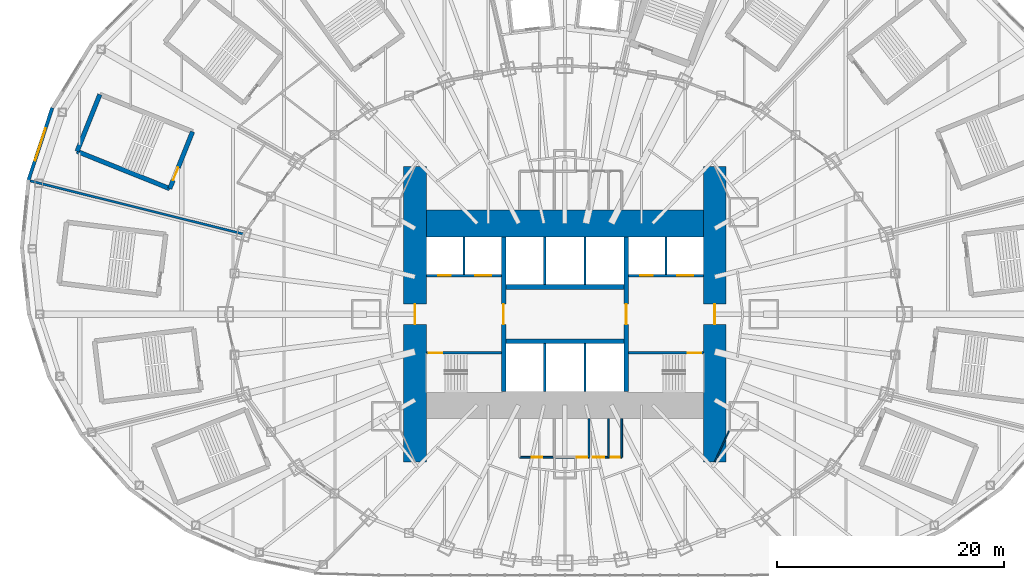
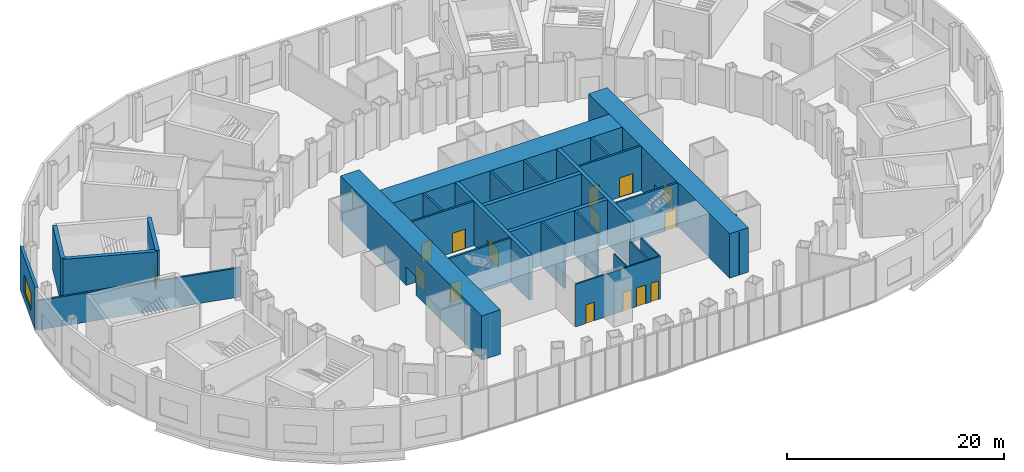
# One storey, part 14 of 73: 27 walls, 15 doors, 1 window, 16 openings.
"""IFC4 building model written with IfcOpenShell, lengths in metres."""

from ifc_helpers import new_model, si_unit, direction, frame, frame_2d, origin, place, context, subcontext, project, spatial, rectangle, extrude, material, layer, layer_set, type_object, element, fill, save


model = new_model("IFC4")

# Units and contexts
model_context = context("Model", 3, precision=1e-05, world=origin(), true_north=direction((0.0, 1.0)))
body_context = subcontext(model_context, "Body", "Model", "MODEL_VIEW")
ifc_project = project(units=[si_unit("LENGTHUNIT", "METRE"), si_unit("AREAUNIT", "SQUARE_METRE"), si_unit("VOLUMEUNIT", "CUBIC_METRE"), si_unit("PLANEANGLEUNIT", "RADIAN"), si_unit("MASSUNIT", "GRAM", prefix="KILO")], contexts=[model_context])

# Site, building, storey
site_placement = place(None, origin())
site = spatial("IfcSite", under=ifc_project, at=site_placement, CompositionType="ELEMENT")
building_placement = place(site_placement, origin())
building = spatial("IfcBuilding", under=site, at=building_placement, Name="Lantaw Convention Tower", CompositionType="ELEMENT")
storey_placement = place(building_placement, frame((0.0, 0.0, 22.0)))
storey = spatial("IfcBuildingStorey", under=building, at=storey_placement, Name="L03", CompositionType="ELEMENT", Elevation=22.0)

# Wall, opening, door
ifc_material_1 = material(Name="Concrete C60/75", Category="concrete")
ifc_layer_1 = layer(ifc_material_1, 0.199951171875)
ifc_layer_set_1 = layer_set([ifc_layer_1], Name="Core wall 200")
wall_type_1 = type_object("IfcWallType", Name="Core wall 200", PredefinedType="SHEAR", material=ifc_layer_set_1)
wall_1_placement = place(storey_placement, frame((5.60009765625, -3.39990234375, 0.0), z_axis=(0.0, 0.0, 1.0), x_axis=(1.0, 0.0, 0.0)))
wall_1 = element("IfcWall", 1, at=wall_1_placement, inside=storey, type_object=wall_type_1, Name="Core wall ES", PredefinedType="SHEAR", context=body_context, shape_type="SweptSolid", body=[
    extrude(rectangle(XDim=6.599853515625, YDim=0.199951171875, at=frame_2d((3.2998046875, 0.0))), origin(), (0.0, 0.0, 1.0), 5.0),
])
opening_1_placement = place(wall_1_placement, frame((5.199951171875, 0.0, 0.0)))
opening_1 = element("IfcOpeningElement", 2, at=opening_1_placement, cuts=wall_1, Name="Opening L03.03", PredefinedType="OPENING", context=body_context, shape_type="SweptSolid", body=[
    extrude(rectangle(XDim=1.199951171875, YDim=2.10009765625, at=frame_2d((0.60009765625, 1.050048828125))), frame((0.0, 0.10986328125, 0.0), z_axis=(0.0, -1.0, 0.0), x_axis=(1.0, 0.0, 0.0)), (0.0, 0.0, 1.0), 0.219970703125),
])
ifc_material_2 = material(Name="Steel, fire rated", Category="steel")
door_type_1 = type_object("IfcDoorType", Name="Stair door FD90", OperationType="SINGLE_SWING_RIGHT", PredefinedType="DOOR", material=ifc_material_2)
door_1_placement = place(opening_1_placement, origin())
door_1 = element("IfcDoor", 3, at=door_1_placement, inside=storey, type_object=door_type_1, Name="Exit stair door", OperationType="SINGLE_SWING_RIGHT", OverallHeight=2.10009765625, OverallWidth=1.199951171875, PredefinedType="DOOR", context=body_context, shape_type="SweptSolid", body=[
    extrude(rectangle(XDim=1.199951171875, YDim=2.10009765625, at=frame_2d((0.60009765625, 1.050048828125))), frame((0.0, 0.02490234375, 0.0), z_axis=(0.0, -1.0, 0.0), x_axis=(1.0, 0.0, 0.0)), (0.0, 0.0, 1.0), 0.050048828125),
])
fill(opening_1, door_1)

wall_2_placement = place(storey_placement, frame((-5.60009765625, -3.39990234375, 0.0), z_axis=(0.0, 0.0, 1.0), x_axis=(-1.0, 0.0, 0.0)))
wall_2 = element("IfcWall", 4, at=wall_2_placement, inside=storey, type_object=wall_type_1, Name="Core wall WS", PredefinedType="SHEAR", context=body_context, shape_type="SweptSolid", body=[
    extrude(rectangle(XDim=6.599853515625, YDim=0.199951171875, at=frame_2d((3.2998046875, 0.0))), origin(), (0.0, 0.0, 1.0), 5.0),
])
opening_2_placement = place(wall_2_placement, frame((5.199951171875, 0.0, 0.0)))
opening_2 = element("IfcOpeningElement", 5, at=opening_2_placement, cuts=wall_2, Name="Opening L03.04", PredefinedType="OPENING", context=body_context, shape_type="SweptSolid", body=[
    extrude(rectangle(XDim=1.199951171875, YDim=2.10009765625, at=frame_2d((0.60009765625, 1.050048828125))), frame((0.0, 0.10986328125, 0.0), z_axis=(0.0, -1.0, 0.0), x_axis=(1.0, 0.0, 0.0)), (0.0, 0.0, 1.0), 0.219970703125),
])
door_2_placement = place(opening_2_placement, origin())
door_2 = element("IfcDoor", 6, at=door_2_placement, inside=storey, type_object=door_type_1, Name="Exit stair door", OperationType="SINGLE_SWING_RIGHT", OverallHeight=2.10009765625, OverallWidth=1.199951171875, PredefinedType="DOOR", context=body_context, shape_type="SweptSolid", body=[
    extrude(rectangle(XDim=1.199951171875, YDim=2.10009765625, at=frame_2d((0.60009765625, 1.050048828125))), frame((0.0, 0.02490234375, 0.0), z_axis=(0.0, -1.0, 0.0), x_axis=(1.0, 0.0, 0.0)), (0.0, 0.0, 1.0), 0.050048828125),
])
fill(opening_2, door_2)

ifc_layer_2 = layer(ifc_material_1, 2.0)
ifc_layer_set_2 = layer_set([ifc_layer_2], Name="Core wall 2000")
wall_type_2 = type_object("IfcWallType", Name="Core wall 2000", PredefinedType="SHEAR", material=ifc_layer_set_2)
wall_3_placement = place(storey_placement, frame((13.199951171875, -13.0, 0.0), z_axis=(0.0, 0.0, 1.0), x_axis=(0.0, 1.0, 0.0)))
wall_3 = element("IfcWall", 7, at=wall_3_placement, inside=storey, type_object=wall_type_2, Name="Core wall E", PredefinedType="SHEAR", context=body_context, shape_type="SweptSolid", body=[
    extrude(rectangle(XDim=26.0, YDim=2.0, at=frame_2d((13.0, 0.0))), origin(), (0.0, 0.0, 1.0), 5.0),
])
opening_3_placement = place(wall_3_placement, frame((12.10009765625, 0.0, 0.0)))
opening_3 = element("IfcOpeningElement", 8, at=opening_3_placement, cuts=wall_3, Name="Opening L03.05", PredefinedType="OPENING", context=body_context, shape_type="SweptSolid", body=[
    extrude(rectangle(XDim=1.800048828125, YDim=2.10009765625, at=frame_2d((0.89990234375, 1.050048828125))), frame((0.0, 1.010009765625, 0.0), z_axis=(0.0, -1.0, 0.0), x_axis=(1.0, 0.0, 0.0)), (0.0, 0.0, 1.0), 2.02001953125),
])
door_type_2 = type_object("IfcDoorType", Name="Lobby double door FD90", OperationType="DOUBLE_DOOR_DOUBLE_SWING", PredefinedType="DOOR", material=ifc_material_2)
door_3_placement = place(opening_3_placement, origin())
door_3 = element("IfcDoor", 9, at=door_3_placement, inside=storey, type_object=door_type_2, Name="Firefighting lobby door", OperationType="DOUBLE_DOOR_DOUBLE_SWING", OverallHeight=2.10009765625, OverallWidth=1.800048828125, PredefinedType="DOOR", context=body_context, shape_type="SweptSolid", body=[
    extrude(rectangle(XDim=1.800048828125, YDim=2.10009765625, at=frame_2d((0.89990234375, 1.050048828125))), frame((0.0, 0.02490234375, 0.0), z_axis=(0.0, -1.0, 0.0), x_axis=(1.0, 0.0, 0.0)), (0.0, 0.0, 1.0), 0.050048828125),
])
fill(opening_3, door_3)

wall_4_placement = place(storey_placement, frame((-13.199951171875, 13.0, 0.0), z_axis=(0.0, 0.0, 1.0), x_axis=(0.0, -1.0, 0.0)))
wall_4 = element("IfcWall", 10, at=wall_4_placement, inside=storey, type_object=wall_type_2, Name="Core wall W", PredefinedType="SHEAR", context=body_context, shape_type="SweptSolid", body=[
    extrude(rectangle(XDim=26.0, YDim=2.0, at=frame_2d((13.0, 0.0))), origin(), (0.0, 0.0, 1.0), 5.0),
])
opening_4_placement = place(wall_4_placement, frame((12.10009765625, 0.0, 0.0)))
opening_4 = element("IfcOpeningElement", 11, at=opening_4_placement, cuts=wall_4, Name="Opening L03.06", PredefinedType="OPENING", context=body_context, shape_type="SweptSolid", body=[
    extrude(rectangle(XDim=1.800048828125, YDim=2.10009765625, at=frame_2d((0.89990234375, 1.050048828125))), frame((0.0, 1.010009765625, 0.0), z_axis=(0.0, -1.0, 0.0), x_axis=(1.0, 0.0, 0.0)), (0.0, 0.0, 1.0), 2.02001953125),
])
door_4_placement = place(opening_4_placement, origin())
door_4 = element("IfcDoor", 12, at=door_4_placement, inside=storey, type_object=door_type_2, Name="Firefighting lobby door", OperationType="DOUBLE_DOOR_DOUBLE_SWING", OverallHeight=2.10009765625, OverallWidth=1.800048828125, PredefinedType="DOOR", context=body_context, shape_type="SweptSolid", body=[
    extrude(rectangle(XDim=1.800048828125, YDim=2.10009765625, at=frame_2d((0.89990234375, 1.050048828125))), frame((0.0, 0.02490234375, 0.0), z_axis=(0.0, -1.0, 0.0), x_axis=(1.0, 0.0, 0.0)), (0.0, 0.0, 1.0), 0.050048828125),
])
fill(opening_4, door_4)

# Wall
ifc_layer_3 = layer(ifc_material_1, 2.39990234375)
ifc_layer_set_3 = layer_set([ifc_layer_3], Name="Core wall 2400")
wall_type_3 = type_object("IfcWallType", Name="Core wall 2400", PredefinedType="SHEAR", material=ifc_layer_set_3)
wall_5_placement = place(storey_placement, frame((12.199951171875, 8.0, 0.0), z_axis=(0.0, 0.0, 1.0), x_axis=(-1.0, 0.0, 0.0)))
element("IfcWall", 13, at=wall_5_placement, inside=storey, type_object=wall_type_3, Name="Core wall N", PredefinedType="SHEAR", context=body_context, shape_type="SweptSolid", body=[
    extrude(rectangle(XDim=24.39990234375, YDim=2.39990234375, at=frame_2d((12.199951171875, 0.0))), origin(), (0.0, 0.0, 1.0), 5.0),
])

# Wall, opening, door
ifc_layer_4 = layer(ifc_material_1, 0.39990234375)
ifc_layer_set_4 = layer_set([ifc_layer_4], Name="Core wall 400")
wall_type_4 = type_object("IfcWallType", Name="Core wall 400", PredefinedType="SHEAR", material=ifc_layer_set_4)
wall_6_placement = place(storey_placement, frame((5.39990234375, -6.800048828125, 0.0), z_axis=(0.0, 0.0, 1.0), x_axis=(0.0, 1.0, 0.0)))
wall_6 = element("IfcWall", 14, at=wall_6_placement, inside=storey, type_object=wall_type_4, Name="Core wall XE", PredefinedType="SHEAR", context=body_context, shape_type="SweptSolid", body=[
    extrude(rectangle(XDim=13.60009765625, YDim=0.39990234375, at=frame_2d((6.800048828125, 0.0))), origin(), (0.0, 0.0, 1.0), 5.0),
])
opening_5_placement = place(wall_6_placement, frame((5.89990234375, 0.0, 0.0)))
opening_5 = element("IfcOpeningElement", 15, at=opening_5_placement, cuts=wall_6, Name="Opening L03.01", PredefinedType="OPENING", context=body_context, shape_type="SweptSolid", body=[
    extrude(rectangle(XDim=1.800048828125, YDim=2.10009765625, at=frame_2d((0.89990234375, 1.050048828125))), frame((0.0, 0.2099609375, 0.0), z_axis=(0.0, -1.0, 0.0), x_axis=(1.0, 0.0, 0.0)), (0.0, 0.0, 1.0), 0.419921875),
])
door_5_placement = place(opening_5_placement, origin())
door_5 = element("IfcDoor", 16, at=door_5_placement, inside=storey, type_object=door_type_2, Name="Lift lobby door", OperationType="DOUBLE_DOOR_DOUBLE_SWING", OverallHeight=2.10009765625, OverallWidth=1.800048828125, PredefinedType="DOOR", context=body_context, shape_type="SweptSolid", body=[
    extrude(rectangle(XDim=1.800048828125, YDim=2.10009765625, at=frame_2d((0.89990234375, 1.050048828125))), frame((0.0, 0.02490234375, 0.0), z_axis=(0.0, -1.0, 0.0), x_axis=(1.0, 0.0, 0.0)), (0.0, 0.0, 1.0), 0.050048828125),
])
fill(opening_5, door_5)

wall_7_placement = place(storey_placement, frame((-5.39990234375, 6.800048828125, 0.0), z_axis=(0.0, 0.0, 1.0), x_axis=(0.0, -1.0, 0.0)))
wall_7 = element("IfcWall", 17, at=wall_7_placement, inside=storey, type_object=wall_type_4, Name="Core wall XW", PredefinedType="SHEAR", context=body_context, shape_type="SweptSolid", body=[
    extrude(rectangle(XDim=13.60009765625, YDim=0.39990234375, at=frame_2d((6.800048828125, 0.0))), origin(), (0.0, 0.0, 1.0), 5.0),
])
opening_6_placement = place(wall_7_placement, frame((5.89990234375, 0.0, 0.0)))
opening_6 = element("IfcOpeningElement", 18, at=opening_6_placement, cuts=wall_7, Name="Opening L03.02", PredefinedType="OPENING", context=body_context, shape_type="SweptSolid", body=[
    extrude(rectangle(XDim=1.800048828125, YDim=2.10009765625, at=frame_2d((0.89990234375, 1.050048828125))), frame((0.0, 0.2099609375, 0.0), z_axis=(0.0, -1.0, 0.0), x_axis=(1.0, 0.0, 0.0)), (0.0, 0.0, 1.0), 0.419921875),
])
door_6_placement = place(opening_6_placement, origin())
door_6 = element("IfcDoor", 19, at=door_6_placement, inside=storey, type_object=door_type_2, Name="Lift lobby door", OperationType="DOUBLE_DOOR_DOUBLE_SWING", OverallHeight=2.10009765625, OverallWidth=1.800048828125, PredefinedType="DOOR", context=body_context, shape_type="SweptSolid", body=[
    extrude(rectangle(XDim=1.800048828125, YDim=2.10009765625, at=frame_2d((0.89990234375, 1.050048828125))), frame((0.0, 0.02490234375, 0.0), z_axis=(0.0, -1.0, 0.0), x_axis=(1.0, 0.0, 0.0)), (0.0, 0.0, 1.0), 0.050048828125),
])
fill(opening_6, door_6)

# Walls
for number, where, z_axis, x_axis, name in (
    (20, (-5.199951171875, -2.39990234375, 0.0), (0.0, 0.0, 1.0), (1.0, 0.0, 0.0), "Core wall BS"),
    (21, (5.199951171875, 2.39990234375, 0.0), (0.0, 0.0, 1.0), (-1.0, 0.0, 0.0), "Core wall BN"),
):
    element("IfcWall", number, at=place(storey_placement, frame(where, z_axis=z_axis, x_axis=x_axis)), inside=storey, type_object=wall_type_4, Name=name, PredefinedType="SHEAR", context=body_context, shape_type="SweptSolid", body=[
        extrude(rectangle(XDim=10.39990234375, YDim=0.39990234375, at=frame_2d((5.199951171875, 0.0))), origin(), (0.0, 0.0, 1.0), 5.0),
    ])
ifc_material_3 = material(Name="Gypsum board on steel studs, acoustic", Category="steel")
ifc_layer_5 = layer(ifc_material_3, 0.10009765625)
ifc_layer_set_5 = layer_set([ifc_layer_5], Name="Office partition 100")
wall_type_5 = type_object("IfcWallType", Name="Office partition 100", PredefinedType="PARTITIONING", material=ifc_layer_set_5)
wall_8_placement = place(storey_placement, frame((13.199951171875, -13.0, 0.0), z_axis=(0.0, 0.0, 1.0), x_axis=(0.420129824888, 0.907464010437, 0.0)))
element("IfcWall", 22, at=wall_8_placement, inside=storey, type_object=wall_type_5, Name="Office partition 100", PredefinedType="PARTITIONING", context=body_context, shape_type="SweptSolid", body=[
    extrude(rectangle(XDim=2.975341796875, YDim=0.10009765625, at=frame_2d((1.48779296875, 0.0))), origin(), (0.0, 0.0, 1.0), 4.800048828125),
])

# Wall, opening, window
ifc_material_4 = material(Name="Precast concrete panel, pale aluminium rainscreen", Category="concrete")
ifc_layer_6 = layer(ifc_material_4, 0.300048828125)
ifc_layer_set_6 = layer_set([ifc_layer_6], Name="Podium external wall 300")
wall_type_6 = type_object("IfcWallType", Name="Podium external wall 300", PredefinedType="SOLIDWALL", material=ifc_layer_set_6)
wall_9_placement = place(storey_placement, frame((-45.158203125, 18.181640625, 0.0), z_axis=(0.0, 0.0, 1.0), x_axis=(-0.31263149373, -0.94987449125, 0.0)))
wall_9 = element("IfcWall", 23, at=wall_9_placement, inside=storey, type_object=wall_type_6, Name="Podium facade wall", PredefinedType="SOLIDWALL", context=body_context, shape_type="SweptSolid", body=[
    extrude(rectangle(XDim=6.7861328125, YDim=0.300048828125, at=frame_2d((3.39306640625, 0.0))), origin(), (0.0, 0.0, 1.0), 4.800048828125),
])
opening_7_placement = place(wall_9_placement, frame((1.89306640625, 0.0, 0.89990234375)))
opening_7 = element("IfcOpeningElement", 24, at=opening_7_placement, cuts=wall_9, Name="Opening W3", PredefinedType="OPENING", context=body_context, shape_type="SweptSolid", body=[
    extrude(rectangle(XDim=3.0, YDim=2.0, at=frame_2d((1.5, 1.0))), frame((0.0, 0.159912109375, 0.0), z_axis=(0.0, -1.0, 0.0), x_axis=(1.0, 0.0, 0.0)), (0.0, 0.0, 1.0), 0.320068359375),
])
ifc_material_5 = material(Name="Aluminium frame, clear insulating glass", Category="aluminium")
window_type = type_object("IfcWindowType", Name="Podium window 3000x2000", PartitioningType="DOUBLE_PANEL_VERTICAL", PredefinedType="WINDOW", material=ifc_material_5)
window_placement = place(opening_7_placement, origin())
window = element("IfcWindow", 25, at=window_placement, inside=storey, type_object=window_type, Name="Podium window", OverallHeight=2.0, OverallWidth=3.0, PartitioningType="SINGLE_PANEL", PredefinedType="WINDOW", context=body_context, shape_type="SweptSolid", body=[
    extrude(rectangle(XDim=3.0, YDim=2.0, at=frame_2d((1.5, 1.0))), frame((0.0, 0.030029296875, 0.0), z_axis=(0.0, -1.0, 0.0), x_axis=(1.0, 0.0, 0.0)), (0.0, 0.0, 1.0), 0.06005859375),
])
fill(opening_7, window)

# Walls
ifc_material_6 = material(Name="Concrete blockwork", Category="masonry")
ifc_layer_7 = layer(ifc_material_6, 0.199951171875)
ifc_layer_set_7 = layer_set([ifc_layer_7], Name="Podium partition 200")
wall_type_7 = type_object("IfcWallType", Name="Podium partition 200", PredefinedType="SOLIDWALL", material=ifc_layer_set_7)
wall_10_placement = place(storey_placement, frame((-28.31787109375, 7.060302734375, 0.0), z_axis=(0.0, 0.0, 1.0), x_axis=(-0.970227758662, 0.242194335859, 0.0)))
element("IfcWall", 26, at=wall_10_placement, inside=storey, type_object=wall_type_7, Name="Podium partition 200", PredefinedType="SOLIDWALL", context=body_context, shape_type="SweptSolid", body=[
    extrude(rectangle(XDim=19.525634765625, YDim=0.199951171875, at=frame_2d((9.7626953125, 0.0))), origin(), (0.0, 0.0, 1.0), 3.300048828125),
])
ifc_material_7 = material(Name="Concrete blockwork, fire rated", Category="masonry")
ifc_layer_8 = layer(ifc_material_7, 0.199951171875)
ifc_layer_set_8 = layer_set([ifc_layer_8], Name="Shaft wall 200")
wall_type_8 = type_object("IfcWallType", Name="Shaft wall 200", PredefinedType="SOLIDWALL", material=ifc_layer_set_8)
for number, where, z_axis, x_axis, name in (
    (27, (-1.7666015625, 2.60009765625, 0.0), (0.0, 0.0, 1.0), (0.0, 1.0, 0.0), "Shaft wall DN1"),
    (28, (1.7666015625, 2.60009765625, 0.0), (0.0, 0.0, 1.0), (0.0, 1.0, 0.0), "Shaft wall DN2"),
):
    element("IfcWall", number, at=place(storey_placement, frame(where, z_axis=z_axis, x_axis=x_axis)), inside=storey, type_object=wall_type_8, Name=name, PredefinedType="SOLIDWALL", context=body_context, shape_type="SweptSolid", body=[
        extrude(rectangle(XDim=4.199951171875, YDim=0.199951171875, at=frame_2d((2.10009765625, 0.0))), origin(), (0.0, 0.0, 1.0), 5.0),
    ])

# Wall, openings, doors
wall_11_placement = place(storey_placement, frame((12.199951171875, 3.39990234375, 0.0), z_axis=(0.0, 0.0, 1.0), x_axis=(-1.0, 0.0, 0.0)))
wall_11 = element("IfcWall", 29, at=wall_11_placement, inside=storey, type_object=wall_type_8, Name="Shaft wall EN", PredefinedType="SOLIDWALL", context=body_context, shape_type="SweptSolid", body=[
    extrude(rectangle(XDim=6.599853515625, YDim=0.199951171875, at=frame_2d((3.2998046875, 0.0))), origin(), (0.0, 0.0, 1.0), 5.0),
])
opening_8_placement = place(wall_11_placement, frame((4.449951171875, 0.0, 0.0)))
opening_8 = element("IfcOpeningElement", 30, at=opening_8_placement, cuts=wall_11, Name="Opening L03.09", PredefinedType="OPENING", context=body_context, shape_type="SweptSolid", body=[
    extrude(rectangle(XDim=1.10009765625, YDim=2.199951171875, at=frame_2d((0.550048828125, 1.10009765625))), frame((0.0, 0.10986328125, 0.0), z_axis=(0.0, -1.0, 0.0), x_axis=(1.0, 0.0, 0.0)), (0.0, 0.0, 1.0), 0.219970703125),
])
opening_9_placement = place(wall_11_placement, frame((0.89990234375, 0.0, 0.0)))
opening_9 = element("IfcOpeningElement", 31, at=opening_9_placement, cuts=wall_11, Name="Opening L03.10", PredefinedType="OPENING", context=body_context, shape_type="SweptSolid", body=[
    extrude(rectangle(XDim=1.39990234375, YDim=2.199951171875, at=frame_2d((0.699951171875, 1.10009765625))), frame((0.0, 0.10986328125, 0.0), z_axis=(0.0, -1.0, 0.0), x_axis=(1.0, 0.0, 0.0)), (0.0, 0.0, 1.0), 0.219970703125),
])
ifc_material_8 = material(Name="Stainless steel", Category="steel")
door_type_3 = type_object("IfcDoorType", Name="Lift landing door 1100", OperationType="DOUBLE_DOOR_SLIDING", PredefinedType="DOOR", material=ifc_material_8)
door_7_placement = place(opening_8_placement, origin())
door_7 = element("IfcDoor", 32, at=door_7_placement, inside=storey, type_object=door_type_3, Name="Lift landing door FF2", OperationType="DOUBLE_DOOR_SLIDING", OverallHeight=2.199951171875, OverallWidth=1.10009765625, PredefinedType="DOOR", context=body_context, shape_type="SweptSolid", body=[
    extrude(rectangle(XDim=1.10009765625, YDim=2.199951171875, at=frame_2d((0.550048828125, 1.10009765625))), frame((0.0, 0.02490234375, 0.0), z_axis=(0.0, -1.0, 0.0), x_axis=(1.0, 0.0, 0.0)), (0.0, 0.0, 1.0), 0.050048828125),
])
fill(opening_8, door_7)
door_type_4 = type_object("IfcDoorType", Name="Lift landing door 1400", OperationType="DOUBLE_DOOR_SLIDING", PredefinedType="DOOR", material=ifc_material_8)
door_8_placement = place(opening_9_placement, origin())
door_8 = element("IfcDoor", 33, at=door_8_placement, inside=storey, type_object=door_type_4, Name="Lift landing door SV2", OperationType="DOUBLE_DOOR_SLIDING", OverallHeight=2.199951171875, OverallWidth=1.39990234375, PredefinedType="DOOR", context=body_context, shape_type="SweptSolid", body=[
    extrude(rectangle(XDim=1.39990234375, YDim=2.199951171875, at=frame_2d((0.699951171875, 1.10009765625))), frame((0.0, 0.02490234375, 0.0), z_axis=(0.0, -1.0, 0.0), x_axis=(1.0, 0.0, 0.0)), (0.0, 0.0, 1.0), 0.050048828125),
])
fill(opening_9, door_8)

# Wall
wall_12_placement = place(storey_placement, frame((8.89990234375, 3.5, 0.0), z_axis=(0.0, 0.0, 1.0), x_axis=(0.0, 1.0, 0.0)))
element("IfcWall", 34, at=wall_12_placement, inside=storey, type_object=wall_type_8, Name="Shaft wall ED", PredefinedType="SOLIDWALL", context=body_context, shape_type="SweptSolid", body=[
    extrude(rectangle(XDim=3.300048828125, YDim=0.199951171875, at=frame_2d((1.64990234375, 0.0))), origin(), (0.0, 0.0, 1.0), 5.0),
])

# Wall, openings, doors
wall_13_placement = place(storey_placement, frame((-12.199951171875, 3.39990234375, 0.0), z_axis=(0.0, 0.0, 1.0), x_axis=(1.0, 0.0, 0.0)))
wall_13 = element("IfcWall", 35, at=wall_13_placement, inside=storey, type_object=wall_type_8, Name="Shaft wall WN", PredefinedType="SOLIDWALL", context=body_context, shape_type="SweptSolid", body=[
    extrude(rectangle(XDim=6.599853515625, YDim=0.199951171875, at=frame_2d((3.2998046875, 0.0))), origin(), (0.0, 0.0, 1.0), 5.0),
])
opening_10_placement = place(wall_13_placement, frame((1.050048828125, 0.0, 0.0)))
opening_10 = element("IfcOpeningElement", 36, at=opening_10_placement, cuts=wall_13, Name="Opening L03.07", PredefinedType="OPENING", context=body_context, shape_type="SweptSolid", body=[
    extrude(rectangle(XDim=1.10009765625, YDim=2.199951171875, at=frame_2d((0.550048828125, 1.10009765625))), frame((0.0, 0.10986328125, 0.0), z_axis=(0.0, -1.0, 0.0), x_axis=(1.0, 0.0, 0.0)), (0.0, 0.0, 1.0), 0.219970703125),
])
opening_11_placement = place(wall_13_placement, frame((4.300048828125, 0.0, 0.0)))
opening_11 = element("IfcOpeningElement", 37, at=opening_11_placement, cuts=wall_13, Name="Opening L03.08", PredefinedType="OPENING", context=body_context, shape_type="SweptSolid", body=[
    extrude(rectangle(XDim=1.39990234375, YDim=2.199951171875, at=frame_2d((0.699951171875, 1.10009765625))), frame((0.0, 0.10986328125, 0.0), z_axis=(0.0, -1.0, 0.0), x_axis=(1.0, 0.0, 0.0)), (0.0, 0.0, 1.0), 0.219970703125),
])
door_9_placement = place(opening_10_placement, origin())
door_9 = element("IfcDoor", 38, at=door_9_placement, inside=storey, type_object=door_type_3, Name="Lift landing door FF1", OperationType="DOUBLE_DOOR_SLIDING", OverallHeight=2.199951171875, OverallWidth=1.10009765625, PredefinedType="DOOR", context=body_context, shape_type="SweptSolid", body=[
    extrude(rectangle(XDim=1.10009765625, YDim=2.199951171875, at=frame_2d((0.550048828125, 1.10009765625))), frame((0.0, 0.02490234375, 0.0), z_axis=(0.0, -1.0, 0.0), x_axis=(1.0, 0.0, 0.0)), (0.0, 0.0, 1.0), 0.050048828125),
])
fill(opening_10, door_9)
door_10_placement = place(opening_11_placement, origin())
door_10 = element("IfcDoor", 39, at=door_10_placement, inside=storey, type_object=door_type_4, Name="Lift landing door SV1", OperationType="DOUBLE_DOOR_SLIDING", OverallHeight=2.199951171875, OverallWidth=1.39990234375, PredefinedType="DOOR", context=body_context, shape_type="SweptSolid", body=[
    extrude(rectangle(XDim=1.39990234375, YDim=2.199951171875, at=frame_2d((0.699951171875, 1.10009765625))), frame((0.0, 0.02490234375, 0.0), z_axis=(0.0, -1.0, 0.0), x_axis=(1.0, 0.0, 0.0)), (0.0, 0.0, 1.0), 0.050048828125),
])
fill(opening_11, door_10)

# Walls
wall_14_placement = place(storey_placement, frame((-8.89990234375, 3.5, 0.0), z_axis=(0.0, 0.0, 1.0), x_axis=(0.0, 1.0, 0.0)))
element("IfcWall", 40, at=wall_14_placement, inside=storey, type_object=wall_type_8, Name="Shaft wall WD", PredefinedType="SOLIDWALL", context=body_context, shape_type="SweptSolid", body=[
    extrude(rectangle(XDim=3.300048828125, YDim=0.199951171875, at=frame_2d((1.64990234375, 0.0))), origin(), (0.0, 0.0, 1.0), 5.0),
])
ifc_layer_9 = layer(ifc_material_7, 0.199951171875)
ifc_layer_set_9 = layer_set([ifc_layer_9], Name="Shaft wall 200 load-bearing")
wall_type_9 = type_object("IfcWallType", Name="Shaft wall 200 load-bearing", PredefinedType="SOLIDWALL", material=ifc_layer_set_9)
for number, where, z_axis, x_axis, name in (
    (41, (-1.7666015625, -2.60009765625, 0.0), (0.0, 0.0, 1.0), (0.0, -1.0, 0.0), "Shaft wall DS1"),
    (42, (1.7666015625, -2.60009765625, 0.0), (0.0, 0.0, 1.0), (0.0, -1.0, 0.0), "Shaft wall DS2"),
):
    element("IfcWall", number, at=place(storey_placement, frame(where, z_axis=z_axis, x_axis=x_axis)), inside=storey, type_object=wall_type_9, Name=name, PredefinedType="SOLIDWALL", context=body_context, shape_type="SweptSolid", body=[
        extrude(rectangle(XDim=4.199951171875, YDim=0.199951171875, at=frame_2d((2.10009765625, 0.0))), origin(), (0.0, 0.0, 1.0), 5.0),
    ])
ifc_material_9 = material(Name="Concrete C40/50, stair core", Category="concrete")
ifc_layer_10 = layer(ifc_material_9, 0.39990234375)
ifc_layer_set_10 = layer_set([ifc_layer_10], Name="Stair enclosure wall 400 EI 120")
wall_type_10 = type_object("IfcWallType", Name="Stair enclosure wall 400 EI 120", PredefinedType="SHEAR", material=ifc_layer_set_10)
wall_15_placement = place(storey_placement, frame((-40.966552734375, 19.35498046875, 0.0), z_axis=(0.0, 0.0, 1.0), x_axis=(-0.372544066459, -0.928014503414, 0.0)))
element("IfcWall", 43, at=wall_15_placement, inside=storey, type_object=wall_type_10, Name="Stair enclosure wall", PredefinedType="SHEAR", context=body_context, shape_type="SweptSolid", body=[
    extrude(rectangle(XDim=5.39990234375, YDim=0.39990234375, at=frame_2d((2.699951171875, 0.0))), origin(), (0.0, 0.0, 1.0), 5.0),
])
wall_16_placement = place(storey_placement, frame((-42.978271484375, 14.34375, 0.0), z_axis=(0.0, 0.0, 1.0), x_axis=(0.92801678004, -0.372538395288, 0.0)))
element("IfcWall", 44, at=wall_16_placement, inside=storey, type_object=wall_type_10, Name="Stair enclosure wall", PredefinedType="SHEAR", context=body_context, shape_type="SweptSolid", body=[
    extrude(rectangle(XDim=8.800048828125, YDim=0.39990234375, at=frame_2d((4.39990234375, 0.0))), origin(), (0.0, 0.0, 1.0), 5.0),
])

# Wall, opening, door
wall_17_placement = place(storey_placement, frame((-34.811767578125, 11.0654296875, 0.0), z_axis=(0.0, 0.0, 1.0), x_axis=(0.372544066459, 0.928014503414, 0.0)))
wall_17 = element("IfcWall", 45, at=wall_17_placement, inside=storey, type_object=wall_type_10, Name="Stair enclosure wall", PredefinedType="SHEAR", context=body_context, shape_type="SweptSolid", body=[
    extrude(rectangle(XDim=5.39990234375, YDim=0.39990234375, at=frame_2d((2.699951171875, 0.0))), origin(), (0.0, 0.0, 1.0), 5.0),
])
opening_12_placement = place(wall_17_placement, frame((0.800048828125, 0.0, 0.0)))
opening_12 = element("IfcOpeningElement", 46, at=opening_12_placement, cuts=wall_17, Name="Opening L03.P8", PredefinedType="OPENING", context=body_context, shape_type="SweptSolid", body=[
    extrude(rectangle(XDim=1.199951171875, YDim=2.10009765625, at=frame_2d((0.60009765625, 1.050048828125))), frame((0.0, 0.2099609375, 0.0), z_axis=(0.0, -1.0, 0.0), x_axis=(1.0, 0.0, 0.0)), (0.0, 0.0, 1.0), 0.419921875),
])
door_11_placement = place(opening_12_placement, origin())
door_11 = element("IfcDoor", 47, at=door_11_placement, inside=storey, type_object=door_type_1, Name="Exit stair door", OperationType="SINGLE_SWING_RIGHT", OverallHeight=2.10009765625, OverallWidth=1.199951171875, PredefinedType="DOOR", context=body_context, shape_type="SweptSolid", body=[
    extrude(rectangle(XDim=1.199951171875, YDim=2.10009765625, at=frame_2d((0.60009765625, 1.050048828125))), frame((0.0, 0.02490234375, 0.0), z_axis=(0.0, -1.0, 0.0), x_axis=(1.0, 0.0, 0.0)), (0.0, 0.0, 1.0), 0.050048828125),
])
fill(opening_12, door_11)

# Wall, openings, doors
ifc_layer_11 = layer(ifc_material_6, 0.14990234375)
ifc_layer_set_11 = layer_set([ifc_layer_11], Name="WC wall 150")
wall_type_11 = type_object("IfcWallType", Name="WC wall 150", PredefinedType="SOLIDWALL", material=ifc_layer_set_11)
wall_18_placement = place(storey_placement, frame((-4.0, -12.60009765625, 0.0), z_axis=(0.0, 0.0, 1.0), x_axis=(1.0, 0.0, 0.0)))
wall_18 = element("IfcWall", 48, at=wall_18_placement, inside=storey, type_object=wall_type_11, Name="WC wall 150", PredefinedType="SOLIDWALL", context=body_context, shape_type="SweptSolid", body=[
    extrude(rectangle(XDim=9.0, YDim=0.14990234375, at=frame_2d((4.5, 0.0))), origin(), (0.0, 0.0, 1.0), 4.800048828125),
])
opening_13_placement = place(wall_18_placement, frame((1.10009765625, 0.0, 0.0)))
opening_13 = element("IfcOpeningElement", 49, at=opening_13_placement, cuts=wall_18, Name="Opening L03.27", PredefinedType="OPENING", context=body_context, shape_type="SweptSolid", body=[
    extrude(rectangle(XDim=0.89990234375, YDim=2.10009765625, at=frame_2d((0.449951171875, 1.050048828125))), frame((0.0, 0.0849609375, 0.0), z_axis=(0.0, -1.0, 0.0), x_axis=(1.0, 0.0, 0.0)), (0.0, 0.0, 1.0), 0.169921875),
])
opening_14_placement = place(wall_18_placement, frame((5.06005859375, 0.0, 0.0)))
opening_14 = element("IfcOpeningElement", 50, at=opening_14_placement, cuts=wall_18, Name="Opening L03.28", PredefinedType="OPENING", context=body_context, shape_type="SweptSolid", body=[
    extrude(rectangle(XDim=0.89990234375, YDim=2.10009765625, at=frame_2d((0.449951171875, 1.050048828125))), frame((0.0, 0.0849609375, 0.0), z_axis=(0.0, -1.0, 0.0), x_axis=(1.0, 0.0, 0.0)), (0.0, 0.0, 1.0), 0.169921875),
])
opening_15_placement = place(wall_18_placement, frame((6.469970703125, 0.0, 0.0)))
opening_15 = element("IfcOpeningElement", 51, at=opening_15_placement, cuts=wall_18, Name="Opening L03.29", PredefinedType="OPENING", context=body_context, shape_type="SweptSolid", body=[
    extrude(rectangle(XDim=1.0, YDim=2.10009765625, at=frame_2d((0.5, 1.050048828125))), frame((0.0, 0.0849609375, 0.0), z_axis=(0.0, -1.0, 0.0), x_axis=(1.0, 0.0, 0.0)), (0.0, 0.0, 1.0), 0.169921875),
])
opening_16_placement = place(wall_18_placement, frame((8.030029296875, 0.0, 0.0)))
opening_16 = element("IfcOpeningElement", 52, at=opening_16_placement, cuts=wall_18, Name="Opening L03.30", PredefinedType="OPENING", context=body_context, shape_type="SweptSolid", body=[
    extrude(rectangle(XDim=0.800048828125, YDim=2.10009765625, at=frame_2d((0.39990234375, 1.050048828125))), frame((0.0, 0.0849609375, 0.0), z_axis=(0.0, -1.0, 0.0), x_axis=(1.0, 0.0, 0.0)), (0.0, 0.0, 1.0), 0.169921875),
])
ifc_material_10 = material(Name="Timber", Category="wood")
door_type_5 = type_object("IfcDoorType", Name="Accessible WC door 1000", OperationType="SINGLE_SWING_LEFT", PredefinedType="DOOR", material=ifc_material_10)
door_12_placement = place(opening_15_placement, origin())
door_12 = element("IfcDoor", 53, at=door_12_placement, inside=storey, type_object=door_type_5, Name="Accessible WC door", OperationType="SINGLE_SWING_LEFT", OverallHeight=2.10009765625, OverallWidth=1.0, PredefinedType="DOOR", context=body_context, shape_type="SweptSolid", body=[
    extrude(rectangle(XDim=1.0, YDim=2.10009765625, at=frame_2d((0.5, 1.050048828125))), frame((0.0, 0.02490234375, 0.0), z_axis=(0.0, -1.0, 0.0), x_axis=(1.0, 0.0, 0.0)), (0.0, 0.0, 1.0), 0.050048828125),
])
fill(opening_15, door_12)
door_type_6 = type_object("IfcDoorType", Name="WC door 800", OperationType="SINGLE_SWING_LEFT", PredefinedType="DOOR", material=ifc_material_10)
door_13_placement = place(opening_16_placement, origin())
door_13 = element("IfcDoor", 54, at=door_13_placement, inside=storey, type_object=door_type_6, Name="Baby care room door", OperationType="SINGLE_SWING_LEFT", OverallHeight=2.10009765625, OverallWidth=0.800048828125, PredefinedType="DOOR", context=body_context, shape_type="SweptSolid", body=[
    extrude(rectangle(XDim=0.800048828125, YDim=2.10009765625, at=frame_2d((0.39990234375, 1.050048828125))), frame((0.0, 0.02490234375, 0.0), z_axis=(0.0, -1.0, 0.0), x_axis=(1.0, 0.0, 0.0)), (0.0, 0.0, 1.0), 0.050048828125),
])
fill(opening_16, door_13)
door_type_7 = type_object("IfcDoorType", Name="WC door 900", OperationType="SINGLE_SWING_LEFT", PredefinedType="DOOR", material=ifc_material_10)
door_14_placement = place(opening_13_placement, origin())
door_14 = element("IfcDoor", 55, at=door_14_placement, inside=storey, type_object=door_type_7, Name="Male WC door", OperationType="SINGLE_SWING_LEFT", OverallHeight=2.10009765625, OverallWidth=0.89990234375, PredefinedType="DOOR", context=body_context, shape_type="SweptSolid", body=[
    extrude(rectangle(XDim=0.89990234375, YDim=2.10009765625, at=frame_2d((0.449951171875, 1.050048828125))), frame((0.0, 0.02490234375, 0.0), z_axis=(0.0, -1.0, 0.0), x_axis=(1.0, 0.0, 0.0)), (0.0, 0.0, 1.0), 0.050048828125),
])
fill(opening_13, door_14)
door_15_placement = place(opening_14_placement, origin())
door_15 = element("IfcDoor", 56, at=door_15_placement, inside=storey, type_object=door_type_7, Name="Female WC door", OperationType="SINGLE_SWING_LEFT", OverallHeight=2.10009765625, OverallWidth=0.89990234375, PredefinedType="DOOR", context=body_context, shape_type="SweptSolid", body=[
    extrude(rectangle(XDim=0.89990234375, YDim=2.10009765625, at=frame_2d((0.449951171875, 1.050048828125))), frame((0.0, 0.02490234375, 0.0), z_axis=(0.0, -1.0, 0.0), x_axis=(1.0, 0.0, 0.0)), (0.0, 0.0, 1.0), 0.050048828125),
])
fill(opening_14, door_15)

# Walls
wall_19_placement = place(storey_placement, frame((5.0, -9.199951171875, 0.0), z_axis=(0.0, 0.0, 1.0), x_axis=(0.0, -1.0, 0.0)))
element("IfcWall", 57, at=wall_19_placement, inside=storey, type_object=wall_type_11, Name="WC wall 150", PredefinedType="SOLIDWALL", context=body_context, shape_type="SweptSolid", body=[
    extrude(rectangle(XDim=3.400146484375, YDim=0.14990234375, at=frame_2d((1.7001953125, 0.0))), origin(), (0.0, 0.0, 1.0), 4.800048828125),
])
wall_20_placement = place(storey_placement, frame((2.1201171875, -9.199951171875, 0.0), z_axis=(0.0, 0.0, 1.0), x_axis=(0.0, -1.0, 0.0)))
element("IfcWall", 58, at=wall_20_placement, inside=storey, type_object=wall_type_11, Name="WC wall 150", PredefinedType="SOLIDWALL", context=body_context, shape_type="SweptSolid", body=[
    extrude(rectangle(XDim=3.400146484375, YDim=0.14990234375, at=frame_2d((1.7001953125, 0.0))), origin(), (0.0, 0.0, 1.0), 4.0302734375),
])
wall_21_placement = place(storey_placement, frame((3.830078125, -9.199951171875, 0.0), z_axis=(0.0, 0.0, 1.0), x_axis=(0.0, -1.0, 0.0)))
element("IfcWall", 59, at=wall_21_placement, inside=storey, type_object=wall_type_11, Name="WC wall 150", PredefinedType="SOLIDWALL", context=body_context, shape_type="SweptSolid", body=[
    extrude(rectangle(XDim=3.400146484375, YDim=0.14990234375, at=frame_2d((1.7001953125, 0.0))), origin(), (0.0, 0.0, 1.0), 4.800048828125),
])

save(model, "model.ifc")
